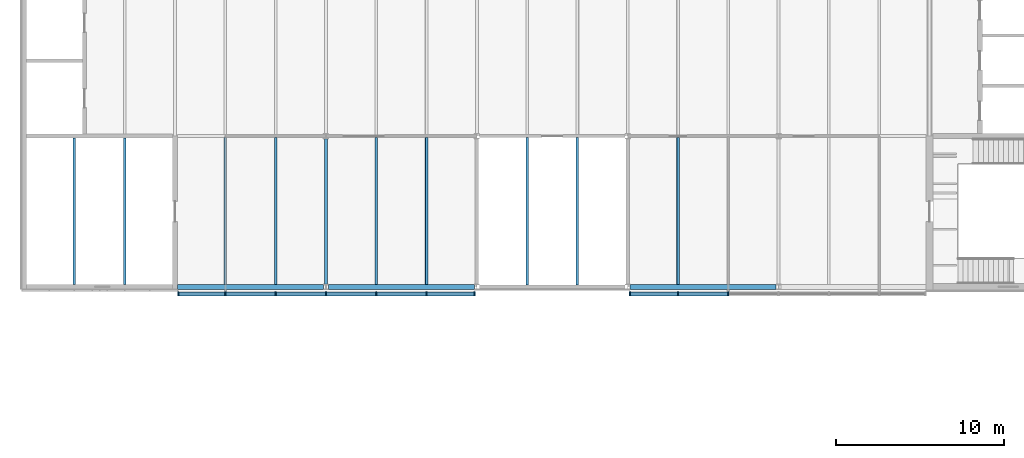
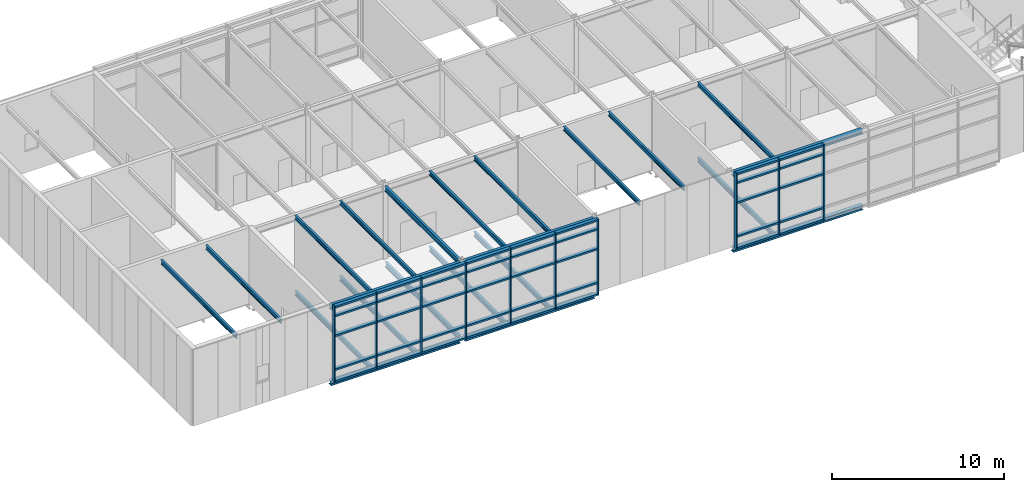
# One storey, part 13 of 46: 50 members, 22 beams, 2 elements without a shape of their own.
"""IFC4 building model written with IfcOpenShell, lengths in metres."""

from ifc_helpers import new_model, si_unit, direction, frame, origin, origin_2d, place, context, subcontext, project, spatial, rectangle, i_section, extrude, material, material_profile, profile_set, type_object, element, aggregate, save


model = new_model("IFC4")

# Units and contexts
model_context = context("Model", 3, precision=1e-05, world=origin(), true_north=direction((0.0, 1.0)))
body_context = subcontext(model_context, "Body", "Model", "MODEL_VIEW")
ifc_project = project(units=[si_unit("LENGTHUNIT", "METRE"), si_unit("AREAUNIT", "SQUARE_METRE"), si_unit("VOLUMEUNIT", "CUBIC_METRE"), si_unit("PLANEANGLEUNIT", "RADIAN"), si_unit("MASSUNIT", "GRAM", prefix="KILO")], contexts=[model_context])

# Site, building, storey
site_placement = place(None, origin())
site = spatial("IfcSite", under=ifc_project, at=site_placement, CompositionType="ELEMENT")
building_placement = place(site_placement, origin())
building = spatial("IfcBuilding", under=site, at=building_placement, Name="Azimuth Sports and Learning Centre", CompositionType="ELEMENT")
storey_placement = place(building_placement, frame((0.0, 0.0, 21.60009765625)))
storey = spatial("IfcBuildingStorey", under=building, at=storey_placement, Name="L04", CompositionType="ELEMENT", Elevation=21.60009765625)

# Beams
ifc_material_1 = material(Name="Steel S355", Category="steel")
ifc_material_profile_1 = material_profile(ifc_material_1, i_section(OverallWidth=0.169921875, OverallDepth=0.360107421875, WebThickness=0.008056640625, FlangeThickness=0.0126953125, FilletRadius=0.01806640625, at=origin_2d()), Name="IPE 360")
ifc_profile_set_1 = profile_set([ifc_material_profile_1], Name="Steel S355")
beam_type_1 = type_object("IfcBeamType", Name="Beam IPE 360", PredefinedType="BEAM", material=ifc_profile_set_1)
beam_1_placement = place(storey_placement, frame((18.0, 90.179931640625, -0.330078125), z_axis=(0.0, 1.0, 0.0), x_axis=(-1.0, 0.0, 0.0)))
element("IfcBeam", 1, at=beam_1_placement, inside=storey, type_object=beam_type_1, Name="Beam L04 WW 18", PredefinedType="BEAM", context=body_context, shape_type="SweptSolid", body=[
    extrude(i_section(OverallWidth=0.169921875, OverallDepth=0.360107421875, WebThickness=0.008056640625, FlangeThickness=0.0126953125, FilletRadius=0.01806640625, at=origin_2d()), origin(), (0.0, 0.0, 1.0), 8.64013671875),
])
beam_2_placement = place(storey_placement, frame((18.0, 90.14990234375, 5.02001953125), z_axis=(0.0, 1.0, 0.0), x_axis=(-1.0, 0.0, 0.0)))
element("IfcBeam", 2, at=beam_2_placement, inside=storey, type_object=beam_type_1, Name="Beam L04 TE 18", PredefinedType="BEAM", context=body_context, shape_type="SweptSolid", body=[
    extrude(i_section(OverallWidth=0.169921875, OverallDepth=0.360107421875, WebThickness=0.008056640625, FlangeThickness=0.0126953125, FilletRadius=0.01806640625, at=origin_2d()), origin(), (0.0, 0.0, 1.0), 8.7001953125),
])
ifc_material_2 = material(Name="Steel S355", Category="steel")
ifc_material_profile_2 = material_profile(ifc_material_2, i_section(OverallWidth=0.300048828125, OverallDepth=0.2900390625, WebThickness=0.008544921875, FlangeThickness=0.013916015625, FilletRadius=0.027099609375, at=origin_2d()), Name="HEA 300")
ifc_profile_set_2 = profile_set([ifc_material_profile_2], Name="Steel S355")
beam_type_2 = type_object("IfcBeamType", Name="Edge beam HEA 300", PredefinedType="SPANDREL", material=ifc_profile_set_2)
for number, where, z_axis, x_axis, name in (
    (3, (9.14990234375, 90.0, 5.054931640625), (1.0, 0.0, 0.0), (0.0, 1.0, 0.0), "Edge beam L04 TE 1"),
    (4, (18.14990234375, 90.0, 5.054931640625), (1.0, 0.0, 0.0), (0.0, 1.0, 0.0), "Edge beam L04 TE 2"),
    (5, (36.14990234375, 90.0, 5.054931640625), (1.0, 0.0, 0.0), (0.0, 1.0, 0.0), "Edge beam L04 TE 3"),
):
    element("IfcBeam", number, at=place(storey_placement, frame(where, z_axis=z_axis, x_axis=x_axis)), inside=storey, type_object=beam_type_2, Name=name, PredefinedType="SPANDREL", context=body_context, shape_type="SweptSolid", body=[
        extrude(i_section(OverallWidth=0.300048828125, OverallDepth=0.2900390625, WebThickness=0.008544921875, FlangeThickness=0.013916015625, FilletRadius=0.027099609375, at=origin_2d()), origin(), (0.0, 0.0, 1.0), 8.7001953125),
    ])
ifc_material_3 = material(Name="Steel S355", Category="steel")
ifc_material_profile_3 = material_profile(ifc_material_3, i_section(OverallWidth=0.300048828125, OverallDepth=0.31005859375, WebThickness=0.009033203125, FlangeThickness=0.015380859375, FilletRadius=0.027099609375, at=origin_2d()), Name="HEA 320")
ifc_profile_set_3 = profile_set([ifc_material_profile_3], Name="Steel S355")
beam_type_3 = type_object("IfcBeamType", Name="Edge beam HEA 320", PredefinedType="SPANDREL", material=ifc_profile_set_3)
for number, where, z_axis, x_axis, name in (
    (6, (9.14990234375, 90.0, -0.30517578125), (1.0, 0.0, 0.0), (0.0, 1.0, 0.0), "Edge beam L04 WW 1"),
    (7, (18.14990234375, 90.0, -0.30517578125), (1.0, 0.0, 0.0), (0.0, 1.0, 0.0), "Edge beam L04 WW 2"),
    (8, (36.14990234375, 90.0, -0.30517578125), (1.0, 0.0, 0.0), (0.0, 1.0, 0.0), "Edge beam L04 WW 3"),
):
    element("IfcBeam", number, at=place(storey_placement, frame(where, z_axis=z_axis, x_axis=x_axis)), inside=storey, type_object=beam_type_3, Name=name, PredefinedType="SPANDREL", context=body_context, shape_type="SweptSolid", body=[
        extrude(i_section(OverallWidth=0.300048828125, OverallDepth=0.31005859375, WebThickness=0.009033203125, FlangeThickness=0.015380859375, FilletRadius=0.027099609375, at=origin_2d()), origin(), (0.0, 0.0, 1.0), 8.7001953125),
    ])
ifc_material_4 = material(Name="Steel S355", Category="steel")
ifc_material_profile_4 = material_profile(ifc_material_4, i_section(OverallWidth=0.14990234375, OverallDepth=0.300048828125, WebThickness=0.007080078125, FlangeThickness=0.0107421875, FilletRadius=0.014892578125, at=origin_2d()), Name="IPE 300")
ifc_profile_set_4 = profile_set([ifc_material_profile_4], Name="Steel S355")
beam_type_4 = type_object("IfcBeamType", Name="Joist IPE 300", PredefinedType="JOIST", material=ifc_profile_set_4)
for number, where, z_axis, x_axis, name in (
    (9, (3.0, 90.14990234375, 5.0498046875), (0.0, 1.0, 0.0), (-1.0, 0.0, 0.0), "Joist L04 TE 27"),
    (10, (6.0, 90.14990234375, 5.0498046875), (0.0, 1.0, 0.0), (-1.0, 0.0, 0.0), "Joist L04 TE 29"),
):
    element("IfcBeam", number, at=place(storey_placement, frame(where, z_axis=z_axis, x_axis=x_axis)), inside=storey, type_object=beam_type_4, Name=name, PredefinedType="JOIST", context=body_context, shape_type="SweptSolid", body=[
        extrude(i_section(OverallWidth=0.14990234375, OverallDepth=0.300048828125, WebThickness=0.007080078125, FlangeThickness=0.0107421875, FilletRadius=0.014892578125, at=origin_2d()), origin(), (0.0, 0.0, 1.0), 8.72509765625),
    ])
for number, where, z_axis, x_axis, name in (
    (11, (12.0, 90.14990234375, 5.0498046875), (0.0, 1.0, 0.0), (-1.0, 0.0, 0.0), "Joist L04 TE 32"),
    (12, (15.0, 90.14990234375, 5.0498046875), (0.0, 1.0, 0.0), (-1.0, 0.0, 0.0), "Joist L04 TE 35"),
    (13, (21.0, 90.14990234375, 5.0498046875), (0.0, 1.0, 0.0), (-1.0, 0.0, 0.0), "Joist L04 TE 38"),
    (14, (24.0, 90.14990234375, 5.0498046875), (0.0, 1.0, 0.0), (-1.0, 0.0, 0.0), "Joist L04 TE 41"),
):
    element("IfcBeam", number, at=place(storey_placement, frame(where, z_axis=z_axis, x_axis=x_axis)), inside=storey, type_object=beam_type_4, Name=name, PredefinedType="JOIST", context=body_context, shape_type="SweptSolid", body=[
        extrude(i_section(OverallWidth=0.14990234375, OverallDepth=0.300048828125, WebThickness=0.007080078125, FlangeThickness=0.0107421875, FilletRadius=0.014892578125, at=origin_2d()), origin(), (0.0, 0.0, 1.0), 8.755126953125),
    ])
for number, where, z_axis, x_axis, name in (
    (15, (30.0, 90.10009765625, 5.0498046875), (0.0, 1.0, 0.0), (-1.0, 0.0, 0.0), "Joist L04 TE 44"),
    (16, (33.0, 90.10009765625, 5.0498046875), (0.0, 1.0, 0.0), (-1.0, 0.0, 0.0), "Joist L04 TE 47"),
):
    element("IfcBeam", number, at=place(storey_placement, frame(where, z_axis=z_axis, x_axis=x_axis)), inside=storey, type_object=beam_type_4, Name=name, PredefinedType="JOIST", context=body_context, shape_type="SweptSolid", body=[
        extrude(i_section(OverallWidth=0.14990234375, OverallDepth=0.300048828125, WebThickness=0.007080078125, FlangeThickness=0.0107421875, FilletRadius=0.014892578125, at=origin_2d()), origin(), (0.0, 0.0, 1.0), 8.7998046875),
    ])
beam_3_placement = place(storey_placement, frame((39.0, 90.14990234375, 5.0498046875), z_axis=(0.0, 1.0, 0.0), x_axis=(-1.0, 0.0, 0.0)))
element("IfcBeam", 17, at=beam_3_placement, inside=storey, type_object=beam_type_4, Name="Joist L04 TE 50", PredefinedType="JOIST", context=body_context, shape_type="SweptSolid", body=[
    extrude(i_section(OverallWidth=0.14990234375, OverallDepth=0.300048828125, WebThickness=0.007080078125, FlangeThickness=0.0107421875, FilletRadius=0.014892578125, at=origin_2d()), origin(), (0.0, 0.0, 1.0), 8.755126953125),
])
ifc_material_5 = material(Name="Steel S355", Category="steel")
ifc_material_profile_5 = material_profile(ifc_material_5, i_section(OverallWidth=0.159912109375, OverallDepth=0.330078125, WebThickness=0.007568359375, FlangeThickness=0.011474609375, FilletRadius=0.01806640625, at=origin_2d()), Name="IPE 330")
ifc_profile_set_5 = profile_set([ifc_material_profile_5], Name="Steel S355")
beam_type_5 = type_object("IfcBeamType", Name="Joist IPE 330", PredefinedType="JOIST", material=ifc_profile_set_5)
for number, where, z_axis, x_axis, name in (
    (18, (12.0, 90.14990234375, -0.315185546875), (0.0, 1.0, 0.0), (-1.0, 0.0, 0.0), "Joist L04 WW 28"),
    (19, (15.0, 90.14990234375, -0.315185546875), (0.0, 1.0, 0.0), (-1.0, 0.0, 0.0), "Joist L04 WW 31"),
    (20, (21.0, 90.14990234375, -0.315185546875), (0.0, 1.0, 0.0), (-1.0, 0.0, 0.0), "Joist L04 WW 34"),
    (21, (24.0, 90.14990234375, -0.315185546875), (0.0, 1.0, 0.0), (-1.0, 0.0, 0.0), "Joist L04 WW 37"),
    (22, (39.0, 90.14990234375, -0.315185546875), (0.0, 1.0, 0.0), (-1.0, 0.0, 0.0), "Joist L04 WW 42"),
):
    element("IfcBeam", number, at=place(storey_placement, frame(where, z_axis=z_axis, x_axis=x_axis)), inside=storey, type_object=beam_type_5, Name=name, PredefinedType="JOIST", context=body_context, shape_type="SweptSolid", body=[
        extrude(i_section(OverallWidth=0.159912109375, OverallDepth=0.330078125, WebThickness=0.007568359375, FlangeThickness=0.011474609375, FilletRadius=0.01806640625, at=origin_2d()), origin(), (0.0, 0.0, 1.0), 8.75),
    ])

# Curtain wall, members
ifc_material_6 = material(Name="Aluminium and glass", Category="aluminium")
curtain_wall_type = type_object("IfcCurtainWallType", Name="Curtain wall podium wing 240", PredefinedType="NOTDEFINED", material=ifc_material_6)
curtain_wall_1_placement = place(storey_placement, origin())
curtain_wall_1 = element("IfcCurtainWall", 23, at=curtain_wall_1_placement, inside=storey, type_object=curtain_wall_type, Name="Curtain wall CW04-001", PredefinedType="NOTDEFINED")
ifc_material_7 = material(Name="Aluminium", Category="aluminium")
ifc_material_profile_6 = material_profile(ifc_material_7, rectangle(XDim=0.239990234375, YDim=0.080078125, at=origin_2d()), Name="Mullion 80x240")
ifc_profile_set_6 = profile_set([ifc_material_profile_6], Name="Aluminium")
member_type_1 = type_object("IfcMemberType", Name="Mullion 80x240", PredefinedType="MULLION", material=ifc_profile_set_6)
member_1_placement = place(storey_placement, frame((9.18994140625, 89.580078125, 0.0), z_axis=(0.0, 0.0, 1.0), x_axis=(0.0, 1.0, 0.0)))
member_1 = element("IfcMember", 24, at=member_1_placement, type_object=member_type_1, Name="CW04-001 mullion 1", PredefinedType="MULLION", context=body_context, shape_type="SweptSolid", body=[
    extrude(rectangle(XDim=0.239990234375, YDim=0.080078125, at=origin_2d()), origin(), (0.0, 0.0, 1.0), 5.39990234375),
])
member_2_placement = place(storey_placement, frame((12.0, 89.580078125, 0.0), z_axis=(0.0, 0.0, 1.0), x_axis=(0.0, 1.0, 0.0)))
member_2 = element("IfcMember", 25, at=member_2_placement, type_object=member_type_1, Name="CW04-001 mullion 2", PredefinedType="MULLION", context=body_context, shape_type="SweptSolid", body=[
    extrude(rectangle(XDim=0.239990234375, YDim=0.080078125, at=origin_2d()), origin(), (0.0, 0.0, 1.0), 5.39990234375),
])
member_3_placement = place(storey_placement, frame((15.0, 89.580078125, 0.0), z_axis=(0.0, 0.0, 1.0), x_axis=(0.0, 1.0, 0.0)))
member_3 = element("IfcMember", 26, at=member_3_placement, type_object=member_type_1, Name="CW04-001 mullion 3", PredefinedType="MULLION", context=body_context, shape_type="SweptSolid", body=[
    extrude(rectangle(XDim=0.239990234375, YDim=0.080078125, at=origin_2d()), origin(), (0.0, 0.0, 1.0), 5.39990234375),
])
member_4_placement = place(storey_placement, frame((18.0, 89.580078125, 0.0), z_axis=(0.0, 0.0, 1.0), x_axis=(0.0, 1.0, 0.0)))
member_4 = element("IfcMember", 27, at=member_4_placement, type_object=member_type_1, Name="CW04-001 mullion 4", PredefinedType="MULLION", context=body_context, shape_type="SweptSolid", body=[
    extrude(rectangle(XDim=0.239990234375, YDim=0.080078125, at=origin_2d()), origin(), (0.0, 0.0, 1.0), 5.39990234375),
])
member_5_placement = place(storey_placement, frame((21.0, 89.580078125, 0.0), z_axis=(0.0, 0.0, 1.0), x_axis=(0.0, 1.0, 0.0)))
member_5 = element("IfcMember", 28, at=member_5_placement, type_object=member_type_1, Name="CW04-001 mullion 5", PredefinedType="MULLION", context=body_context, shape_type="SweptSolid", body=[
    extrude(rectangle(XDim=0.239990234375, YDim=0.080078125, at=origin_2d()), origin(), (0.0, 0.0, 1.0), 5.39990234375),
])
member_6_placement = place(storey_placement, frame((24.0, 89.580078125, 0.0), z_axis=(0.0, 0.0, 1.0), x_axis=(0.0, 1.0, 0.0)))
member_6 = element("IfcMember", 29, at=member_6_placement, type_object=member_type_1, Name="CW04-001 mullion 6", PredefinedType="MULLION", context=body_context, shape_type="SweptSolid", body=[
    extrude(rectangle(XDim=0.239990234375, YDim=0.080078125, at=origin_2d()), origin(), (0.0, 0.0, 1.0), 5.39990234375),
])
member_7_placement = place(storey_placement, frame((26.860107421875, 89.580078125, 0.0), z_axis=(0.0, 0.0, 1.0), x_axis=(0.0, 1.0, 0.0)))
member_7 = element("IfcMember", 30, at=member_7_placement, type_object=member_type_1, Name="CW04-001 mullion 7", PredefinedType="MULLION", context=body_context, shape_type="SweptSolid", body=[
    extrude(rectangle(XDim=0.239990234375, YDim=0.080078125, at=origin_2d()), origin(), (0.0, 0.0, 1.0), 5.39990234375),
])

curtain_wall_2_placement = place(storey_placement, origin())
curtain_wall_2 = element("IfcCurtainWall", 31, at=curtain_wall_2_placement, inside=storey, type_object=curtain_wall_type, Name="Curtain wall CW04-002", PredefinedType="NOTDEFINED")
member_8_placement = place(storey_placement, frame((36.139892578125, 89.580078125, 0.0), z_axis=(0.0, 0.0, 1.0), x_axis=(0.0, 1.0, 0.0)))
member_8 = element("IfcMember", 32, at=member_8_placement, type_object=member_type_1, Name="CW04-002 mullion 1", PredefinedType="MULLION", context=body_context, shape_type="SweptSolid", body=[
    extrude(rectangle(XDim=0.239990234375, YDim=0.080078125, at=origin_2d()), origin(), (0.0, 0.0, 1.0), 5.39990234375),
])
member_9_placement = place(storey_placement, frame((39.0, 89.580078125, 0.0), z_axis=(0.0, 0.0, 1.0), x_axis=(0.0, 1.0, 0.0)))
member_9 = element("IfcMember", 33, at=member_9_placement, type_object=member_type_1, Name="CW04-002 mullion 2", PredefinedType="MULLION", context=body_context, shape_type="SweptSolid", body=[
    extrude(rectangle(XDim=0.239990234375, YDim=0.080078125, at=origin_2d()), origin(), (0.0, 0.0, 1.0), 5.39990234375),
])
member_10_placement = place(storey_placement, frame((42.0, 89.580078125, 0.0), z_axis=(0.0, 0.0, 1.0), x_axis=(0.0, 1.0, 0.0)))
member_10 = element("IfcMember", 34, at=member_10_placement, type_object=member_type_1, Name="CW04-002 mullion 3", PredefinedType="MULLION", context=body_context, shape_type="SweptSolid", body=[
    extrude(rectangle(XDim=0.239990234375, YDim=0.080078125, at=origin_2d()), origin(), (0.0, 0.0, 1.0), 5.39990234375),
])

# Member
ifc_material_8 = material(Name="Aluminium", Category="aluminium")
ifc_material_profile_7 = material_profile(ifc_material_8, rectangle(XDim=0.239990234375, YDim=0.1201171875, at=origin_2d()), Name="Transom 120x240")
ifc_profile_set_7 = profile_set([ifc_material_profile_7], Name="Aluminium")
member_type_2 = type_object("IfcMemberType", Name="Transom 120x240", PredefinedType="USERDEFINED", material=ifc_profile_set_7)
member_11_placement = place(storey_placement, frame((9.22998046875, 89.580078125, 0.059814453125), z_axis=(1.0, 0.0, 0.0), x_axis=(0.0, 1.0, 0.0)))
member_11 = element("IfcMember", 35, at=member_11_placement, type_object=member_type_2, Name="CW04-001 transom 1.1", ObjectType="TRANSOM", PredefinedType="USERDEFINED", context=body_context, shape_type="SweptSolid", body=[
    extrude(rectangle(XDim=0.239990234375, YDim=0.1201171875, at=origin_2d()), origin(), (0.0, 0.0, 1.0), 2.72998046875),
])

member_12_placement = place(storey_placement, frame((9.22998046875, 89.580078125, 0.89990234375), z_axis=(1.0, 0.0, 0.0), x_axis=(0.0, 1.0, 0.0)))
member_12 = element("IfcMember", 36, at=member_12_placement, type_object=member_type_2, Name="CW04-001 transom 1.2", ObjectType="TRANSOM", PredefinedType="USERDEFINED", context=body_context, shape_type="SweptSolid", body=[
    extrude(rectangle(XDim=0.239990234375, YDim=0.1201171875, at=origin_2d()), origin(), (0.0, 0.0, 1.0), 2.72998046875),
])

member_13_placement = place(storey_placement, frame((9.22998046875, 89.580078125, 3.2998046875), z_axis=(1.0, 0.0, 0.0), x_axis=(0.0, 1.0, 0.0)))
member_13 = element("IfcMember", 37, at=member_13_placement, type_object=member_type_2, Name="CW04-001 transom 1.3", ObjectType="TRANSOM", PredefinedType="USERDEFINED", context=body_context, shape_type="SweptSolid", body=[
    extrude(rectangle(XDim=0.239990234375, YDim=0.1201171875, at=origin_2d()), origin(), (0.0, 0.0, 1.0), 2.72998046875),
])

member_14_placement = place(storey_placement, frame((9.22998046875, 89.580078125, 4.699951171875), z_axis=(1.0, 0.0, 0.0), x_axis=(0.0, 1.0, 0.0)))
member_14 = element("IfcMember", 38, at=member_14_placement, type_object=member_type_2, Name="CW04-001 transom 1.4", ObjectType="TRANSOM", PredefinedType="USERDEFINED", context=body_context, shape_type="SweptSolid", body=[
    extrude(rectangle(XDim=0.239990234375, YDim=0.1201171875, at=origin_2d()), origin(), (0.0, 0.0, 1.0), 2.72998046875),
])

member_15_placement = place(storey_placement, frame((9.22998046875, 89.580078125, 5.33984375), z_axis=(1.0, 0.0, 0.0), x_axis=(0.0, 1.0, 0.0)))
member_15 = element("IfcMember", 39, at=member_15_placement, type_object=member_type_2, Name="CW04-001 transom 1.5", ObjectType="TRANSOM", PredefinedType="USERDEFINED", context=body_context, shape_type="SweptSolid", body=[
    extrude(rectangle(XDim=0.239990234375, YDim=0.1201171875, at=origin_2d()), origin(), (0.0, 0.0, 1.0), 2.72998046875),
])

member_16_placement = place(storey_placement, frame((12.0400390625, 89.580078125, 0.059814453125), z_axis=(1.0, 0.0, 0.0), x_axis=(0.0, 1.0, 0.0)))
member_16 = element("IfcMember", 40, at=member_16_placement, type_object=member_type_2, Name="CW04-001 transom 2.1", ObjectType="TRANSOM", PredefinedType="USERDEFINED", context=body_context, shape_type="SweptSolid", body=[
    extrude(rectangle(XDim=0.239990234375, YDim=0.1201171875, at=origin_2d()), origin(), (0.0, 0.0, 1.0), 2.919921875),
])

member_17_placement = place(storey_placement, frame((12.0400390625, 89.580078125, 0.89990234375), z_axis=(1.0, 0.0, 0.0), x_axis=(0.0, 1.0, 0.0)))
member_17 = element("IfcMember", 41, at=member_17_placement, type_object=member_type_2, Name="CW04-001 transom 2.2", ObjectType="TRANSOM", PredefinedType="USERDEFINED", context=body_context, shape_type="SweptSolid", body=[
    extrude(rectangle(XDim=0.239990234375, YDim=0.1201171875, at=origin_2d()), origin(), (0.0, 0.0, 1.0), 2.919921875),
])

member_18_placement = place(storey_placement, frame((12.0400390625, 89.580078125, 3.2998046875), z_axis=(1.0, 0.0, 0.0), x_axis=(0.0, 1.0, 0.0)))
member_18 = element("IfcMember", 42, at=member_18_placement, type_object=member_type_2, Name="CW04-001 transom 2.3", ObjectType="TRANSOM", PredefinedType="USERDEFINED", context=body_context, shape_type="SweptSolid", body=[
    extrude(rectangle(XDim=0.239990234375, YDim=0.1201171875, at=origin_2d()), origin(), (0.0, 0.0, 1.0), 2.919921875),
])

member_19_placement = place(storey_placement, frame((12.0400390625, 89.580078125, 4.699951171875), z_axis=(1.0, 0.0, 0.0), x_axis=(0.0, 1.0, 0.0)))
member_19 = element("IfcMember", 43, at=member_19_placement, type_object=member_type_2, Name="CW04-001 transom 2.4", ObjectType="TRANSOM", PredefinedType="USERDEFINED", context=body_context, shape_type="SweptSolid", body=[
    extrude(rectangle(XDim=0.239990234375, YDim=0.1201171875, at=origin_2d()), origin(), (0.0, 0.0, 1.0), 2.919921875),
])

member_20_placement = place(storey_placement, frame((12.0400390625, 89.580078125, 5.33984375), z_axis=(1.0, 0.0, 0.0), x_axis=(0.0, 1.0, 0.0)))
member_20 = element("IfcMember", 44, at=member_20_placement, type_object=member_type_2, Name="CW04-001 transom 2.5", ObjectType="TRANSOM", PredefinedType="USERDEFINED", context=body_context, shape_type="SweptSolid", body=[
    extrude(rectangle(XDim=0.239990234375, YDim=0.1201171875, at=origin_2d()), origin(), (0.0, 0.0, 1.0), 2.919921875),
])

member_21_placement = place(storey_placement, frame((15.0400390625, 89.580078125, 0.059814453125), z_axis=(1.0, 0.0, 0.0), x_axis=(0.0, 1.0, 0.0)))
member_21 = element("IfcMember", 45, at=member_21_placement, type_object=member_type_2, Name="CW04-001 transom 3.1", ObjectType="TRANSOM", PredefinedType="USERDEFINED", context=body_context, shape_type="SweptSolid", body=[
    extrude(rectangle(XDim=0.239990234375, YDim=0.1201171875, at=origin_2d()), origin(), (0.0, 0.0, 1.0), 2.919921875),
])

member_22_placement = place(storey_placement, frame((15.0400390625, 89.580078125, 0.89990234375), z_axis=(1.0, 0.0, 0.0), x_axis=(0.0, 1.0, 0.0)))
member_22 = element("IfcMember", 46, at=member_22_placement, type_object=member_type_2, Name="CW04-001 transom 3.2", ObjectType="TRANSOM", PredefinedType="USERDEFINED", context=body_context, shape_type="SweptSolid", body=[
    extrude(rectangle(XDim=0.239990234375, YDim=0.1201171875, at=origin_2d()), origin(), (0.0, 0.0, 1.0), 2.919921875),
])

member_23_placement = place(storey_placement, frame((15.0400390625, 89.580078125, 3.2998046875), z_axis=(1.0, 0.0, 0.0), x_axis=(0.0, 1.0, 0.0)))
member_23 = element("IfcMember", 47, at=member_23_placement, type_object=member_type_2, Name="CW04-001 transom 3.3", ObjectType="TRANSOM", PredefinedType="USERDEFINED", context=body_context, shape_type="SweptSolid", body=[
    extrude(rectangle(XDim=0.239990234375, YDim=0.1201171875, at=origin_2d()), origin(), (0.0, 0.0, 1.0), 2.919921875),
])

member_24_placement = place(storey_placement, frame((15.0400390625, 89.580078125, 4.699951171875), z_axis=(1.0, 0.0, 0.0), x_axis=(0.0, 1.0, 0.0)))
member_24 = element("IfcMember", 48, at=member_24_placement, type_object=member_type_2, Name="CW04-001 transom 3.4", ObjectType="TRANSOM", PredefinedType="USERDEFINED", context=body_context, shape_type="SweptSolid", body=[
    extrude(rectangle(XDim=0.239990234375, YDim=0.1201171875, at=origin_2d()), origin(), (0.0, 0.0, 1.0), 2.919921875),
])

member_25_placement = place(storey_placement, frame((15.0400390625, 89.580078125, 5.33984375), z_axis=(1.0, 0.0, 0.0), x_axis=(0.0, 1.0, 0.0)))
member_25 = element("IfcMember", 49, at=member_25_placement, type_object=member_type_2, Name="CW04-001 transom 3.5", ObjectType="TRANSOM", PredefinedType="USERDEFINED", context=body_context, shape_type="SweptSolid", body=[
    extrude(rectangle(XDim=0.239990234375, YDim=0.1201171875, at=origin_2d()), origin(), (0.0, 0.0, 1.0), 2.919921875),
])

member_26_placement = place(storey_placement, frame((18.0400390625, 89.580078125, 0.059814453125), z_axis=(1.0, 0.0, 0.0), x_axis=(0.0, 1.0, 0.0)))
member_26 = element("IfcMember", 50, at=member_26_placement, type_object=member_type_2, Name="CW04-001 transom 4.1", ObjectType="TRANSOM", PredefinedType="USERDEFINED", context=body_context, shape_type="SweptSolid", body=[
    extrude(rectangle(XDim=0.239990234375, YDim=0.1201171875, at=origin_2d()), origin(), (0.0, 0.0, 1.0), 2.919921875),
])

member_27_placement = place(storey_placement, frame((18.0400390625, 89.580078125, 0.89990234375), z_axis=(1.0, 0.0, 0.0), x_axis=(0.0, 1.0, 0.0)))
member_27 = element("IfcMember", 51, at=member_27_placement, type_object=member_type_2, Name="CW04-001 transom 4.2", ObjectType="TRANSOM", PredefinedType="USERDEFINED", context=body_context, shape_type="SweptSolid", body=[
    extrude(rectangle(XDim=0.239990234375, YDim=0.1201171875, at=origin_2d()), origin(), (0.0, 0.0, 1.0), 2.919921875),
])

member_28_placement = place(storey_placement, frame((18.0400390625, 89.580078125, 3.2998046875), z_axis=(1.0, 0.0, 0.0), x_axis=(0.0, 1.0, 0.0)))
member_28 = element("IfcMember", 52, at=member_28_placement, type_object=member_type_2, Name="CW04-001 transom 4.3", ObjectType="TRANSOM", PredefinedType="USERDEFINED", context=body_context, shape_type="SweptSolid", body=[
    extrude(rectangle(XDim=0.239990234375, YDim=0.1201171875, at=origin_2d()), origin(), (0.0, 0.0, 1.0), 2.919921875),
])

member_29_placement = place(storey_placement, frame((18.0400390625, 89.580078125, 4.699951171875), z_axis=(1.0, 0.0, 0.0), x_axis=(0.0, 1.0, 0.0)))
member_29 = element("IfcMember", 53, at=member_29_placement, type_object=member_type_2, Name="CW04-001 transom 4.4", ObjectType="TRANSOM", PredefinedType="USERDEFINED", context=body_context, shape_type="SweptSolid", body=[
    extrude(rectangle(XDim=0.239990234375, YDim=0.1201171875, at=origin_2d()), origin(), (0.0, 0.0, 1.0), 2.919921875),
])

member_30_placement = place(storey_placement, frame((18.0400390625, 89.580078125, 5.33984375), z_axis=(1.0, 0.0, 0.0), x_axis=(0.0, 1.0, 0.0)))
member_30 = element("IfcMember", 54, at=member_30_placement, type_object=member_type_2, Name="CW04-001 transom 4.5", ObjectType="TRANSOM", PredefinedType="USERDEFINED", context=body_context, shape_type="SweptSolid", body=[
    extrude(rectangle(XDim=0.239990234375, YDim=0.1201171875, at=origin_2d()), origin(), (0.0, 0.0, 1.0), 2.919921875),
])

member_31_placement = place(storey_placement, frame((21.0400390625, 89.580078125, 0.059814453125), z_axis=(1.0, 0.0, 0.0), x_axis=(0.0, 1.0, 0.0)))
member_31 = element("IfcMember", 55, at=member_31_placement, type_object=member_type_2, Name="CW04-001 transom 5.1", ObjectType="TRANSOM", PredefinedType="USERDEFINED", context=body_context, shape_type="SweptSolid", body=[
    extrude(rectangle(XDim=0.239990234375, YDim=0.1201171875, at=origin_2d()), origin(), (0.0, 0.0, 1.0), 2.919921875),
])

member_32_placement = place(storey_placement, frame((21.0400390625, 89.580078125, 0.89990234375), z_axis=(1.0, 0.0, 0.0), x_axis=(0.0, 1.0, 0.0)))
member_32 = element("IfcMember", 56, at=member_32_placement, type_object=member_type_2, Name="CW04-001 transom 5.2", ObjectType="TRANSOM", PredefinedType="USERDEFINED", context=body_context, shape_type="SweptSolid", body=[
    extrude(rectangle(XDim=0.239990234375, YDim=0.1201171875, at=origin_2d()), origin(), (0.0, 0.0, 1.0), 2.919921875),
])

member_33_placement = place(storey_placement, frame((21.0400390625, 89.580078125, 3.2998046875), z_axis=(1.0, 0.0, 0.0), x_axis=(0.0, 1.0, 0.0)))
member_33 = element("IfcMember", 57, at=member_33_placement, type_object=member_type_2, Name="CW04-001 transom 5.3", ObjectType="TRANSOM", PredefinedType="USERDEFINED", context=body_context, shape_type="SweptSolid", body=[
    extrude(rectangle(XDim=0.239990234375, YDim=0.1201171875, at=origin_2d()), origin(), (0.0, 0.0, 1.0), 2.919921875),
])

member_34_placement = place(storey_placement, frame((21.0400390625, 89.580078125, 4.699951171875), z_axis=(1.0, 0.0, 0.0), x_axis=(0.0, 1.0, 0.0)))
member_34 = element("IfcMember", 58, at=member_34_placement, type_object=member_type_2, Name="CW04-001 transom 5.4", ObjectType="TRANSOM", PredefinedType="USERDEFINED", context=body_context, shape_type="SweptSolid", body=[
    extrude(rectangle(XDim=0.239990234375, YDim=0.1201171875, at=origin_2d()), origin(), (0.0, 0.0, 1.0), 2.919921875),
])

member_35_placement = place(storey_placement, frame((21.0400390625, 89.580078125, 5.33984375), z_axis=(1.0, 0.0, 0.0), x_axis=(0.0, 1.0, 0.0)))
member_35 = element("IfcMember", 59, at=member_35_placement, type_object=member_type_2, Name="CW04-001 transom 5.5", ObjectType="TRANSOM", PredefinedType="USERDEFINED", context=body_context, shape_type="SweptSolid", body=[
    extrude(rectangle(XDim=0.239990234375, YDim=0.1201171875, at=origin_2d()), origin(), (0.0, 0.0, 1.0), 2.919921875),
])

member_36_placement = place(storey_placement, frame((24.0400390625, 89.580078125, 0.059814453125), z_axis=(1.0, 0.0, 0.0), x_axis=(0.0, 1.0, 0.0)))
member_36 = element("IfcMember", 60, at=member_36_placement, type_object=member_type_2, Name="CW04-001 transom 6.1", ObjectType="TRANSOM", PredefinedType="USERDEFINED", context=body_context, shape_type="SweptSolid", body=[
    extrude(rectangle(XDim=0.239990234375, YDim=0.1201171875, at=origin_2d()), origin(), (0.0, 0.0, 1.0), 2.780029296875),
])

member_37_placement = place(storey_placement, frame((24.0400390625, 89.580078125, 0.89990234375), z_axis=(1.0, 0.0, 0.0), x_axis=(0.0, 1.0, 0.0)))
member_37 = element("IfcMember", 61, at=member_37_placement, type_object=member_type_2, Name="CW04-001 transom 6.2", ObjectType="TRANSOM", PredefinedType="USERDEFINED", context=body_context, shape_type="SweptSolid", body=[
    extrude(rectangle(XDim=0.239990234375, YDim=0.1201171875, at=origin_2d()), origin(), (0.0, 0.0, 1.0), 2.780029296875),
])

member_38_placement = place(storey_placement, frame((24.0400390625, 89.580078125, 3.2998046875), z_axis=(1.0, 0.0, 0.0), x_axis=(0.0, 1.0, 0.0)))
member_38 = element("IfcMember", 62, at=member_38_placement, type_object=member_type_2, Name="CW04-001 transom 6.3", ObjectType="TRANSOM", PredefinedType="USERDEFINED", context=body_context, shape_type="SweptSolid", body=[
    extrude(rectangle(XDim=0.239990234375, YDim=0.1201171875, at=origin_2d()), origin(), (0.0, 0.0, 1.0), 2.780029296875),
])

member_39_placement = place(storey_placement, frame((24.0400390625, 89.580078125, 4.699951171875), z_axis=(1.0, 0.0, 0.0), x_axis=(0.0, 1.0, 0.0)))
member_39 = element("IfcMember", 63, at=member_39_placement, type_object=member_type_2, Name="CW04-001 transom 6.4", ObjectType="TRANSOM", PredefinedType="USERDEFINED", context=body_context, shape_type="SweptSolid", body=[
    extrude(rectangle(XDim=0.239990234375, YDim=0.1201171875, at=origin_2d()), origin(), (0.0, 0.0, 1.0), 2.780029296875),
])

member_40_placement = place(storey_placement, frame((24.0400390625, 89.580078125, 5.33984375), z_axis=(1.0, 0.0, 0.0), x_axis=(0.0, 1.0, 0.0)))
member_40 = element("IfcMember", 64, at=member_40_placement, type_object=member_type_2, Name="CW04-001 transom 6.5", ObjectType="TRANSOM", PredefinedType="USERDEFINED", context=body_context, shape_type="SweptSolid", body=[
    extrude(rectangle(XDim=0.239990234375, YDim=0.1201171875, at=origin_2d()), origin(), (0.0, 0.0, 1.0), 2.780029296875),
])

aggregate(curtain_wall_1, [member_1, member_2, member_3, member_4, member_5, member_6, member_7, member_11, member_12, member_13, member_14, member_15, member_16, member_17, member_18, member_19, member_20, member_21, member_22, member_23, member_24, member_25, member_26, member_27, member_28, member_29, member_30, member_31, member_32, member_33, member_34, member_35, member_36, member_37, member_38, member_39, member_40])

member_41_placement = place(storey_placement, frame((36.179931640625, 89.580078125, 0.059814453125), z_axis=(1.0, 0.0, 0.0), x_axis=(0.0, 1.0, 0.0)))
member_41 = element("IfcMember", 65, at=member_41_placement, type_object=member_type_2, Name="CW04-002 transom 1.1", ObjectType="TRANSOM", PredefinedType="USERDEFINED", context=body_context, shape_type="SweptSolid", body=[
    extrude(rectangle(XDim=0.239990234375, YDim=0.1201171875, at=origin_2d()), origin(), (0.0, 0.0, 1.0), 2.780029296875),
])

member_42_placement = place(storey_placement, frame((36.179931640625, 89.580078125, 0.89990234375), z_axis=(1.0, 0.0, 0.0), x_axis=(0.0, 1.0, 0.0)))
member_42 = element("IfcMember", 66, at=member_42_placement, type_object=member_type_2, Name="CW04-002 transom 1.2", ObjectType="TRANSOM", PredefinedType="USERDEFINED", context=body_context, shape_type="SweptSolid", body=[
    extrude(rectangle(XDim=0.239990234375, YDim=0.1201171875, at=origin_2d()), origin(), (0.0, 0.0, 1.0), 2.780029296875),
])

member_43_placement = place(storey_placement, frame((36.179931640625, 89.580078125, 3.2998046875), z_axis=(1.0, 0.0, 0.0), x_axis=(0.0, 1.0, 0.0)))
member_43 = element("IfcMember", 67, at=member_43_placement, type_object=member_type_2, Name="CW04-002 transom 1.3", ObjectType="TRANSOM", PredefinedType="USERDEFINED", context=body_context, shape_type="SweptSolid", body=[
    extrude(rectangle(XDim=0.239990234375, YDim=0.1201171875, at=origin_2d()), origin(), (0.0, 0.0, 1.0), 2.780029296875),
])

member_44_placement = place(storey_placement, frame((36.179931640625, 89.580078125, 4.699951171875), z_axis=(1.0, 0.0, 0.0), x_axis=(0.0, 1.0, 0.0)))
member_44 = element("IfcMember", 68, at=member_44_placement, type_object=member_type_2, Name="CW04-002 transom 1.4", ObjectType="TRANSOM", PredefinedType="USERDEFINED", context=body_context, shape_type="SweptSolid", body=[
    extrude(rectangle(XDim=0.239990234375, YDim=0.1201171875, at=origin_2d()), origin(), (0.0, 0.0, 1.0), 2.780029296875),
])

member_45_placement = place(storey_placement, frame((36.179931640625, 89.580078125, 5.33984375), z_axis=(1.0, 0.0, 0.0), x_axis=(0.0, 1.0, 0.0)))
member_45 = element("IfcMember", 69, at=member_45_placement, type_object=member_type_2, Name="CW04-002 transom 1.5", ObjectType="TRANSOM", PredefinedType="USERDEFINED", context=body_context, shape_type="SweptSolid", body=[
    extrude(rectangle(XDim=0.239990234375, YDim=0.1201171875, at=origin_2d()), origin(), (0.0, 0.0, 1.0), 2.780029296875),
])

member_46_placement = place(storey_placement, frame((39.0400390625, 89.580078125, 0.059814453125), z_axis=(1.0, 0.0, 0.0), x_axis=(0.0, 1.0, 0.0)))
member_46 = element("IfcMember", 70, at=member_46_placement, type_object=member_type_2, Name="CW04-002 transom 2.1", ObjectType="TRANSOM", PredefinedType="USERDEFINED", context=body_context, shape_type="SweptSolid", body=[
    extrude(rectangle(XDim=0.239990234375, YDim=0.1201171875, at=origin_2d()), origin(), (0.0, 0.0, 1.0), 2.919921875),
])

member_47_placement = place(storey_placement, frame((39.0400390625, 89.580078125, 0.89990234375), z_axis=(1.0, 0.0, 0.0), x_axis=(0.0, 1.0, 0.0)))
member_47 = element("IfcMember", 71, at=member_47_placement, type_object=member_type_2, Name="CW04-002 transom 2.2", ObjectType="TRANSOM", PredefinedType="USERDEFINED", context=body_context, shape_type="SweptSolid", body=[
    extrude(rectangle(XDim=0.239990234375, YDim=0.1201171875, at=origin_2d()), origin(), (0.0, 0.0, 1.0), 2.919921875),
])

member_48_placement = place(storey_placement, frame((39.0400390625, 89.580078125, 3.2998046875), z_axis=(1.0, 0.0, 0.0), x_axis=(0.0, 1.0, 0.0)))
member_48 = element("IfcMember", 72, at=member_48_placement, type_object=member_type_2, Name="CW04-002 transom 2.3", ObjectType="TRANSOM", PredefinedType="USERDEFINED", context=body_context, shape_type="SweptSolid", body=[
    extrude(rectangle(XDim=0.239990234375, YDim=0.1201171875, at=origin_2d()), origin(), (0.0, 0.0, 1.0), 2.919921875),
])

member_49_placement = place(storey_placement, frame((39.0400390625, 89.580078125, 4.699951171875), z_axis=(1.0, 0.0, 0.0), x_axis=(0.0, 1.0, 0.0)))
member_49 = element("IfcMember", 73, at=member_49_placement, type_object=member_type_2, Name="CW04-002 transom 2.4", ObjectType="TRANSOM", PredefinedType="USERDEFINED", context=body_context, shape_type="SweptSolid", body=[
    extrude(rectangle(XDim=0.239990234375, YDim=0.1201171875, at=origin_2d()), origin(), (0.0, 0.0, 1.0), 2.919921875),
])

member_50_placement = place(storey_placement, frame((39.0400390625, 89.580078125, 5.33984375), z_axis=(1.0, 0.0, 0.0), x_axis=(0.0, 1.0, 0.0)))
member_50 = element("IfcMember", 74, at=member_50_placement, type_object=member_type_2, Name="CW04-002 transom 2.5", ObjectType="TRANSOM", PredefinedType="USERDEFINED", context=body_context, shape_type="SweptSolid", body=[
    extrude(rectangle(XDim=0.239990234375, YDim=0.1201171875, at=origin_2d()), origin(), (0.0, 0.0, 1.0), 2.919921875),
])

aggregate(curtain_wall_2, [member_8, member_9, member_10, member_41, member_42, member_43, member_44, member_45, member_46, member_47, member_48, member_49, member_50])

save(model, "model.ifc")
